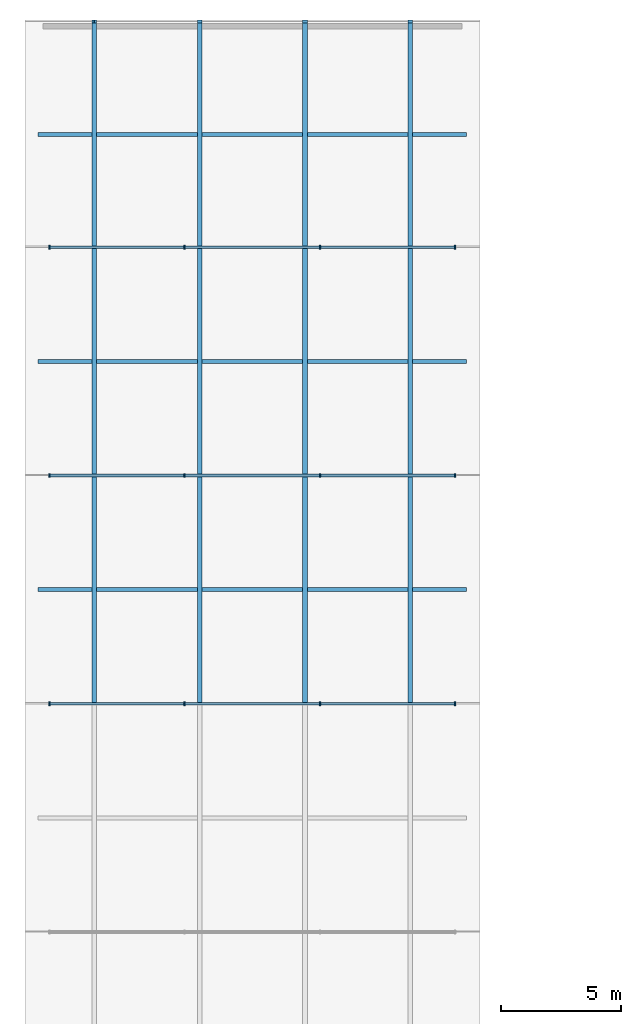
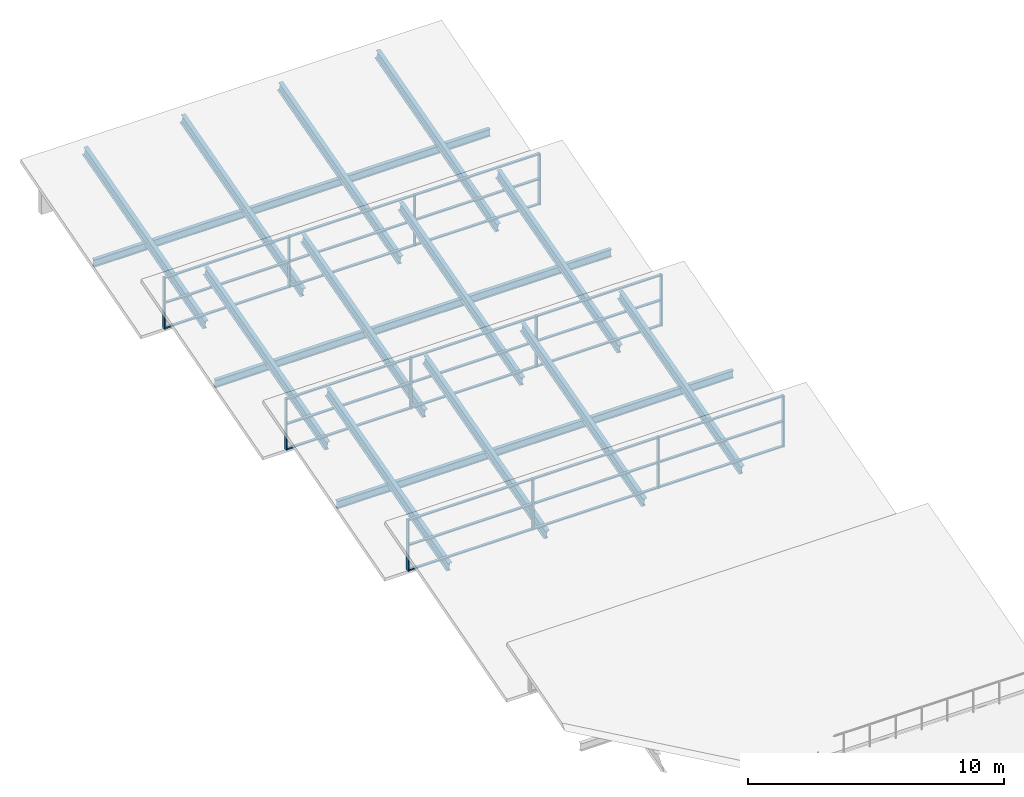
# One storey, part 24 of 53: 54 members, 3 elements without a shape of their own.
"""IFC4 building model written with IfcOpenShell, lengths in metres."""

from ifc_helpers import new_model, si_unit, direction, frame, origin, origin_2d, place, context, subcontext, project, spatial, rectangle, i_section, extrude, material, material_profile, profile_set, type_object, element, aggregate, save


model = new_model("IFC4")

# Units and contexts
model_context = context("Model", 3, precision=1e-05, world=origin(), true_north=direction((0.0, 1.0)))
body_context = subcontext(model_context, "Body", "Model", "MODEL_VIEW")
ifc_project = project(units=[si_unit("LENGTHUNIT", "METRE"), si_unit("AREAUNIT", "SQUARE_METRE"), si_unit("VOLUMEUNIT", "CUBIC_METRE"), si_unit("PLANEANGLEUNIT", "RADIAN"), si_unit("MASSUNIT", "GRAM", prefix="KILO")], contexts=[model_context])

# Site, building, storey
site_placement = place(None, origin())
site = spatial("IfcSite", under=ifc_project, at=site_placement, CompositionType="ELEMENT")
building_placement = place(site_placement, origin())
building = spatial("IfcBuilding", under=site, at=building_placement, Name="Saryqyr Civic Hall", CompositionType="ELEMENT")
storey_placement = place(building_placement, frame((0.0, 0.0, 21.300048828125)))
storey = spatial("IfcBuildingStorey", under=building, at=storey_placement, Name="L05", CompositionType="ELEMENT", Elevation=21.300048828125)

# Curtain wall, members
ifc_material_1 = material(Name="Anodised aluminium and triple low-E glass", Category="aluminium")
curtain_wall_type = type_object("IfcCurtainWallType", Name="ENV-CW-STD-58", PredefinedType="NOTDEFINED", material=ifc_material_1)
curtain_wall_1_placement = place(storey_placement, origin())
curtain_wall_1 = element("IfcCurtainWall", 1, at=curtain_wall_1_placement, inside=storey, type_object=curtain_wall_type, Name="Curtain wall V3-SAW-CW-2", PredefinedType="NOTDEFINED")
ifc_material_2 = material(Name="Anodised aluminium", Category="aluminium")
ifc_material_profile_1 = material_profile(ifc_material_2, rectangle(XDim=0.06005859375, YDim=0.159912109375, at=origin_2d()), Name="ALU MULLION 60x160")
ifc_profile_set_1 = profile_set([ifc_material_profile_1], Name="Anodised aluminium")
member_type_1 = type_object("IfcMemberType", Name="ENV-CW-MUL-180", PredefinedType="MULLION", material=ifc_profile_set_1)
member_1_placement = place(storey_placement, frame((25.570068359375, 136.659912109375, 0.0), z_axis=(0.0, 0.0, 1.0), x_axis=(-1.0, 0.0, 0.0)))
member_1 = element("IfcMember", 2, at=member_1_placement, type_object=member_type_1, Name="CW-58 mullion 1", PredefinedType="MULLION", context=body_context, shape_type="SweptSolid", body=[
    extrude(rectangle(XDim=0.06005859375, YDim=0.159912109375, at=origin_2d()), origin(), (0.0, 0.0, 1.0), 2.449951171875),
])
member_2_placement = place(storey_placement, frame((19.933349609375, 136.659912109375, 0.0), z_axis=(0.0, 0.0, 1.0), x_axis=(-1.0, 0.0, 0.0)))
member_2 = element("IfcMember", 3, at=member_2_placement, type_object=member_type_1, Name="CW-58 mullion 2", PredefinedType="MULLION", context=body_context, shape_type="SweptSolid", body=[
    extrude(rectangle(XDim=0.06005859375, YDim=0.159912109375, at=origin_2d()), origin(), (0.0, 0.0, 1.0), 2.449951171875),
])
member_3_placement = place(storey_placement, frame((14.2666015625, 136.659912109375, 0.0), z_axis=(0.0, 0.0, 1.0), x_axis=(-1.0, 0.0, 0.0)))
member_3 = element("IfcMember", 4, at=member_3_placement, type_object=member_type_1, Name="CW-58 mullion 3", PredefinedType="MULLION", context=body_context, shape_type="SweptSolid", body=[
    extrude(rectangle(XDim=0.06005859375, YDim=0.159912109375, at=origin_2d()), origin(), (0.0, 0.0, 1.0), 2.449951171875),
])
member_4_placement = place(storey_placement, frame((8.6298828125, 136.659912109375, 0.0), z_axis=(0.0, 0.0, 1.0), x_axis=(-1.0, 0.0, 0.0)))
member_4 = element("IfcMember", 5, at=member_4_placement, type_object=member_type_1, Name="CW-58 mullion 4", PredefinedType="MULLION", context=body_context, shape_type="SweptSolid", body=[
    extrude(rectangle(XDim=0.06005859375, YDim=0.159912109375, at=origin_2d()), origin(), (0.0, 0.0, 1.0), 2.449951171875),
])

curtain_wall_2_placement = place(storey_placement, origin())
curtain_wall_2 = element("IfcCurtainWall", 6, at=curtain_wall_2_placement, inside=storey, type_object=curtain_wall_type, Name="Curtain wall V3-SAW-CW-3", PredefinedType="NOTDEFINED")
member_5_placement = place(storey_placement, frame((8.6298828125, 146.18994140625, 0.0), z_axis=(0.0, 0.0, 1.0), x_axis=(1.0, 0.0, 0.0)))
member_5 = element("IfcMember", 7, at=member_5_placement, type_object=member_type_1, Name="CW-58 mullion 1", PredefinedType="MULLION", context=body_context, shape_type="SweptSolid", body=[
    extrude(rectangle(XDim=0.06005859375, YDim=0.159912109375, at=origin_2d()), origin(), (0.0, 0.0, 1.0), 2.449951171875),
])
member_6_placement = place(storey_placement, frame((14.2666015625, 146.18994140625, 0.0), z_axis=(0.0, 0.0, 1.0), x_axis=(1.0, 0.0, 0.0)))
member_6 = element("IfcMember", 8, at=member_6_placement, type_object=member_type_1, Name="CW-58 mullion 2", PredefinedType="MULLION", context=body_context, shape_type="SweptSolid", body=[
    extrude(rectangle(XDim=0.06005859375, YDim=0.159912109375, at=origin_2d()), origin(), (0.0, 0.0, 1.0), 2.449951171875),
])
member_7_placement = place(storey_placement, frame((19.933349609375, 146.18994140625, 0.0), z_axis=(0.0, 0.0, 1.0), x_axis=(1.0, 0.0, 0.0)))
member_7 = element("IfcMember", 9, at=member_7_placement, type_object=member_type_1, Name="CW-58 mullion 3", PredefinedType="MULLION", context=body_context, shape_type="SweptSolid", body=[
    extrude(rectangle(XDim=0.06005859375, YDim=0.159912109375, at=origin_2d()), origin(), (0.0, 0.0, 1.0), 2.449951171875),
])
member_8_placement = place(storey_placement, frame((25.570068359375, 146.18994140625, 0.0), z_axis=(0.0, 0.0, 1.0), x_axis=(1.0, 0.0, 0.0)))
member_8 = element("IfcMember", 10, at=member_8_placement, type_object=member_type_1, Name="CW-58 mullion 4", PredefinedType="MULLION", context=body_context, shape_type="SweptSolid", body=[
    extrude(rectangle(XDim=0.06005859375, YDim=0.159912109375, at=origin_2d()), origin(), (0.0, 0.0, 1.0), 2.449951171875),
])

curtain_wall_3_placement = place(storey_placement, origin())
curtain_wall_3 = element("IfcCurtainWall", 11, at=curtain_wall_3_placement, inside=storey, type_object=curtain_wall_type, Name="Curtain wall V3-SAW-CW-4", PredefinedType="NOTDEFINED")
member_9_placement = place(storey_placement, frame((8.6298828125, 155.719970703125, 0.0), z_axis=(0.0, 0.0, 1.0), x_axis=(1.0, 0.0, 0.0)))
member_9 = element("IfcMember", 12, at=member_9_placement, type_object=member_type_1, Name="CW-58 mullion 1", PredefinedType="MULLION", context=body_context, shape_type="SweptSolid", body=[
    extrude(rectangle(XDim=0.06005859375, YDim=0.159912109375, at=origin_2d()), origin(), (0.0, 0.0, 1.0), 2.449951171875),
])
member_10_placement = place(storey_placement, frame((14.2666015625, 155.719970703125, 0.0), z_axis=(0.0, 0.0, 1.0), x_axis=(1.0, 0.0, 0.0)))
member_10 = element("IfcMember", 13, at=member_10_placement, type_object=member_type_1, Name="CW-58 mullion 2", PredefinedType="MULLION", context=body_context, shape_type="SweptSolid", body=[
    extrude(rectangle(XDim=0.06005859375, YDim=0.159912109375, at=origin_2d()), origin(), (0.0, 0.0, 1.0), 2.449951171875),
])
member_11_placement = place(storey_placement, frame((19.933349609375, 155.719970703125, 0.0), z_axis=(0.0, 0.0, 1.0), x_axis=(1.0, 0.0, 0.0)))
member_11 = element("IfcMember", 14, at=member_11_placement, type_object=member_type_1, Name="CW-58 mullion 3", PredefinedType="MULLION", context=body_context, shape_type="SweptSolid", body=[
    extrude(rectangle(XDim=0.06005859375, YDim=0.159912109375, at=origin_2d()), origin(), (0.0, 0.0, 1.0), 2.449951171875),
])
member_12_placement = place(storey_placement, frame((25.570068359375, 155.719970703125, 0.0), z_axis=(0.0, 0.0, 1.0), x_axis=(1.0, 0.0, 0.0)))
member_12 = element("IfcMember", 15, at=member_12_placement, type_object=member_type_1, Name="CW-58 mullion 4", PredefinedType="MULLION", context=body_context, shape_type="SweptSolid", body=[
    extrude(rectangle(XDim=0.06005859375, YDim=0.159912109375, at=origin_2d()), origin(), (0.0, 0.0, 1.0), 2.449951171875),
])

# Member
ifc_material_profile_2 = material_profile(ifc_material_2, rectangle(XDim=0.1201171875, YDim=0.06005859375, at=origin_2d()), Name="ALU TRANSOM 120x60")
ifc_profile_set_2 = profile_set([ifc_material_profile_2], Name="Anodised aluminium")
member_type_2 = type_object("IfcMemberType", Name="ENV-CW-TRN-150", PredefinedType="USERDEFINED", material=ifc_profile_set_2)
member_13_placement = place(storey_placement, frame((25.5400390625, 136.659912109375, 0.030029296875), z_axis=(-1.0, 0.0, 0.0), x_axis=(0.0, -1.0, 0.0)))
member_13 = element("IfcMember", 16, at=member_13_placement, type_object=member_type_2, Name="CW-58 transom 1.1", ObjectType="TRANSOM", PredefinedType="USERDEFINED", context=body_context, shape_type="SweptSolid", body=[
    extrude(rectangle(XDim=0.1201171875, YDim=0.06005859375, at=origin_2d()), origin(), (0.0, 0.0, 1.0), 5.57666015625),
])

member_14_placement = place(storey_placement, frame((25.5400390625, 136.659912109375, 1.224853515625), z_axis=(-1.0, 0.0, 0.0), x_axis=(0.0, -1.0, 0.0)))
member_14 = element("IfcMember", 17, at=member_14_placement, type_object=member_type_2, Name="CW-58 transom 1.2", ObjectType="TRANSOM", PredefinedType="USERDEFINED", context=body_context, shape_type="SweptSolid", body=[
    extrude(rectangle(XDim=0.1201171875, YDim=0.06005859375, at=origin_2d()), origin(), (0.0, 0.0, 1.0), 5.57666015625),
])

member_15_placement = place(storey_placement, frame((25.5400390625, 136.659912109375, 2.419921875), z_axis=(-1.0, 0.0, 0.0), x_axis=(0.0, -1.0, 0.0)))
member_15 = element("IfcMember", 18, at=member_15_placement, type_object=member_type_2, Name="CW-58 transom 1.3", ObjectType="TRANSOM", PredefinedType="USERDEFINED", context=body_context, shape_type="SweptSolid", body=[
    extrude(rectangle(XDim=0.1201171875, YDim=0.06005859375, at=origin_2d()), origin(), (0.0, 0.0, 1.0), 5.57666015625),
])

member_16_placement = place(storey_placement, frame((19.9033203125, 136.659912109375, 0.030029296875), z_axis=(-1.0, 0.0, 0.0), x_axis=(0.0, -1.0, 0.0)))
member_16 = element("IfcMember", 19, at=member_16_placement, type_object=member_type_2, Name="CW-58 transom 2.1", ObjectType="TRANSOM", PredefinedType="USERDEFINED", context=body_context, shape_type="SweptSolid", body=[
    extrude(rectangle(XDim=0.1201171875, YDim=0.06005859375, at=origin_2d()), origin(), (0.0, 0.0, 1.0), 5.606689453125),
])

member_17_placement = place(storey_placement, frame((19.9033203125, 136.659912109375, 1.224853515625), z_axis=(-1.0, 0.0, 0.0), x_axis=(0.0, -1.0, 0.0)))
member_17 = element("IfcMember", 20, at=member_17_placement, type_object=member_type_2, Name="CW-58 transom 2.2", ObjectType="TRANSOM", PredefinedType="USERDEFINED", context=body_context, shape_type="SweptSolid", body=[
    extrude(rectangle(XDim=0.1201171875, YDim=0.06005859375, at=origin_2d()), origin(), (0.0, 0.0, 1.0), 5.606689453125),
])

member_18_placement = place(storey_placement, frame((19.9033203125, 136.659912109375, 2.419921875), z_axis=(-1.0, 0.0, 0.0), x_axis=(0.0, -1.0, 0.0)))
member_18 = element("IfcMember", 21, at=member_18_placement, type_object=member_type_2, Name="CW-58 transom 2.3", ObjectType="TRANSOM", PredefinedType="USERDEFINED", context=body_context, shape_type="SweptSolid", body=[
    extrude(rectangle(XDim=0.1201171875, YDim=0.06005859375, at=origin_2d()), origin(), (0.0, 0.0, 1.0), 5.606689453125),
])

member_19_placement = place(storey_placement, frame((14.236572265625, 136.659912109375, 0.030029296875), z_axis=(-1.0, 0.0, 0.0), x_axis=(0.0, -1.0, 0.0)))
member_19 = element("IfcMember", 22, at=member_19_placement, type_object=member_type_2, Name="CW-58 transom 3.1", ObjectType="TRANSOM", PredefinedType="USERDEFINED", context=body_context, shape_type="SweptSolid", body=[
    extrude(rectangle(XDim=0.1201171875, YDim=0.06005859375, at=origin_2d()), origin(), (0.0, 0.0, 1.0), 5.57666015625),
])

member_20_placement = place(storey_placement, frame((14.236572265625, 136.659912109375, 1.224853515625), z_axis=(-1.0, 0.0, 0.0), x_axis=(0.0, -1.0, 0.0)))
member_20 = element("IfcMember", 23, at=member_20_placement, type_object=member_type_2, Name="CW-58 transom 3.2", ObjectType="TRANSOM", PredefinedType="USERDEFINED", context=body_context, shape_type="SweptSolid", body=[
    extrude(rectangle(XDim=0.1201171875, YDim=0.06005859375, at=origin_2d()), origin(), (0.0, 0.0, 1.0), 5.57666015625),
])

member_21_placement = place(storey_placement, frame((14.236572265625, 136.659912109375, 2.419921875), z_axis=(-1.0, 0.0, 0.0), x_axis=(0.0, -1.0, 0.0)))
member_21 = element("IfcMember", 24, at=member_21_placement, type_object=member_type_2, Name="CW-58 transom 3.3", ObjectType="TRANSOM", PredefinedType="USERDEFINED", context=body_context, shape_type="SweptSolid", body=[
    extrude(rectangle(XDim=0.1201171875, YDim=0.06005859375, at=origin_2d()), origin(), (0.0, 0.0, 1.0), 5.57666015625),
])

aggregate(curtain_wall_1, [member_1, member_2, member_3, member_4, member_13, member_14, member_15, member_16, member_17, member_18, member_19, member_20, member_21])

member_22_placement = place(storey_placement, frame((8.659912109375, 146.18994140625, 0.030029296875), z_axis=(1.0, 0.0, 0.0), x_axis=(0.0, 1.0, 0.0)))
member_22 = element("IfcMember", 25, at=member_22_placement, type_object=member_type_2, Name="CW-58 transom 1.1", ObjectType="TRANSOM", PredefinedType="USERDEFINED", context=body_context, shape_type="SweptSolid", body=[
    extrude(rectangle(XDim=0.1201171875, YDim=0.06005859375, at=origin_2d()), origin(), (0.0, 0.0, 1.0), 5.57666015625),
])

member_23_placement = place(storey_placement, frame((8.659912109375, 146.18994140625, 1.224853515625), z_axis=(1.0, 0.0, 0.0), x_axis=(0.0, 1.0, 0.0)))
member_23 = element("IfcMember", 26, at=member_23_placement, type_object=member_type_2, Name="CW-58 transom 1.2", ObjectType="TRANSOM", PredefinedType="USERDEFINED", context=body_context, shape_type="SweptSolid", body=[
    extrude(rectangle(XDim=0.1201171875, YDim=0.06005859375, at=origin_2d()), origin(), (0.0, 0.0, 1.0), 5.57666015625),
])

member_24_placement = place(storey_placement, frame((8.659912109375, 146.18994140625, 2.419921875), z_axis=(1.0, 0.0, 0.0), x_axis=(0.0, 1.0, 0.0)))
member_24 = element("IfcMember", 27, at=member_24_placement, type_object=member_type_2, Name="CW-58 transom 1.3", ObjectType="TRANSOM", PredefinedType="USERDEFINED", context=body_context, shape_type="SweptSolid", body=[
    extrude(rectangle(XDim=0.1201171875, YDim=0.06005859375, at=origin_2d()), origin(), (0.0, 0.0, 1.0), 5.57666015625),
])

member_25_placement = place(storey_placement, frame((14.296630859375, 146.18994140625, 0.030029296875), z_axis=(1.0, 0.0, 0.0), x_axis=(0.0, 1.0, 0.0)))
member_25 = element("IfcMember", 28, at=member_25_placement, type_object=member_type_2, Name="CW-58 transom 2.1", ObjectType="TRANSOM", PredefinedType="USERDEFINED", context=body_context, shape_type="SweptSolid", body=[
    extrude(rectangle(XDim=0.1201171875, YDim=0.06005859375, at=origin_2d()), origin(), (0.0, 0.0, 1.0), 5.606689453125),
])

member_26_placement = place(storey_placement, frame((14.296630859375, 146.18994140625, 1.224853515625), z_axis=(1.0, 0.0, 0.0), x_axis=(0.0, 1.0, 0.0)))
member_26 = element("IfcMember", 29, at=member_26_placement, type_object=member_type_2, Name="CW-58 transom 2.2", ObjectType="TRANSOM", PredefinedType="USERDEFINED", context=body_context, shape_type="SweptSolid", body=[
    extrude(rectangle(XDim=0.1201171875, YDim=0.06005859375, at=origin_2d()), origin(), (0.0, 0.0, 1.0), 5.606689453125),
])

member_27_placement = place(storey_placement, frame((14.296630859375, 146.18994140625, 2.419921875), z_axis=(1.0, 0.0, 0.0), x_axis=(0.0, 1.0, 0.0)))
member_27 = element("IfcMember", 30, at=member_27_placement, type_object=member_type_2, Name="CW-58 transom 2.3", ObjectType="TRANSOM", PredefinedType="USERDEFINED", context=body_context, shape_type="SweptSolid", body=[
    extrude(rectangle(XDim=0.1201171875, YDim=0.06005859375, at=origin_2d()), origin(), (0.0, 0.0, 1.0), 5.606689453125),
])

member_28_placement = place(storey_placement, frame((19.96337890625, 146.18994140625, 0.030029296875), z_axis=(1.0, 0.0, 0.0), x_axis=(0.0, 1.0, 0.0)))
member_28 = element("IfcMember", 31, at=member_28_placement, type_object=member_type_2, Name="CW-58 transom 3.1", ObjectType="TRANSOM", PredefinedType="USERDEFINED", context=body_context, shape_type="SweptSolid", body=[
    extrude(rectangle(XDim=0.1201171875, YDim=0.06005859375, at=origin_2d()), origin(), (0.0, 0.0, 1.0), 5.57666015625),
])

member_29_placement = place(storey_placement, frame((19.96337890625, 146.18994140625, 1.224853515625), z_axis=(1.0, 0.0, 0.0), x_axis=(0.0, 1.0, 0.0)))
member_29 = element("IfcMember", 32, at=member_29_placement, type_object=member_type_2, Name="CW-58 transom 3.2", ObjectType="TRANSOM", PredefinedType="USERDEFINED", context=body_context, shape_type="SweptSolid", body=[
    extrude(rectangle(XDim=0.1201171875, YDim=0.06005859375, at=origin_2d()), origin(), (0.0, 0.0, 1.0), 5.57666015625),
])

member_30_placement = place(storey_placement, frame((19.96337890625, 146.18994140625, 2.419921875), z_axis=(1.0, 0.0, 0.0), x_axis=(0.0, 1.0, 0.0)))
member_30 = element("IfcMember", 33, at=member_30_placement, type_object=member_type_2, Name="CW-58 transom 3.3", ObjectType="TRANSOM", PredefinedType="USERDEFINED", context=body_context, shape_type="SweptSolid", body=[
    extrude(rectangle(XDim=0.1201171875, YDim=0.06005859375, at=origin_2d()), origin(), (0.0, 0.0, 1.0), 5.57666015625),
])

aggregate(curtain_wall_2, [member_5, member_6, member_7, member_8, member_22, member_23, member_24, member_25, member_26, member_27, member_28, member_29, member_30])

member_31_placement = place(storey_placement, frame((8.659912109375, 155.719970703125, 0.030029296875), z_axis=(1.0, 0.0, 0.0), x_axis=(0.0, 1.0, 0.0)))
member_31 = element("IfcMember", 34, at=member_31_placement, type_object=member_type_2, Name="CW-58 transom 1.1", ObjectType="TRANSOM", PredefinedType="USERDEFINED", context=body_context, shape_type="SweptSolid", body=[
    extrude(rectangle(XDim=0.1201171875, YDim=0.06005859375, at=origin_2d()), origin(), (0.0, 0.0, 1.0), 5.57666015625),
])

member_32_placement = place(storey_placement, frame((8.659912109375, 155.719970703125, 1.224853515625), z_axis=(1.0, 0.0, 0.0), x_axis=(0.0, 1.0, 0.0)))
member_32 = element("IfcMember", 35, at=member_32_placement, type_object=member_type_2, Name="CW-58 transom 1.2", ObjectType="TRANSOM", PredefinedType="USERDEFINED", context=body_context, shape_type="SweptSolid", body=[
    extrude(rectangle(XDim=0.1201171875, YDim=0.06005859375, at=origin_2d()), origin(), (0.0, 0.0, 1.0), 5.57666015625),
])

member_33_placement = place(storey_placement, frame((8.659912109375, 155.719970703125, 2.419921875), z_axis=(1.0, 0.0, 0.0), x_axis=(0.0, 1.0, 0.0)))
member_33 = element("IfcMember", 36, at=member_33_placement, type_object=member_type_2, Name="CW-58 transom 1.3", ObjectType="TRANSOM", PredefinedType="USERDEFINED", context=body_context, shape_type="SweptSolid", body=[
    extrude(rectangle(XDim=0.1201171875, YDim=0.06005859375, at=origin_2d()), origin(), (0.0, 0.0, 1.0), 5.57666015625),
])

member_34_placement = place(storey_placement, frame((14.296630859375, 155.719970703125, 0.030029296875), z_axis=(1.0, 0.0, 0.0), x_axis=(0.0, 1.0, 0.0)))
member_34 = element("IfcMember", 37, at=member_34_placement, type_object=member_type_2, Name="CW-58 transom 2.1", ObjectType="TRANSOM", PredefinedType="USERDEFINED", context=body_context, shape_type="SweptSolid", body=[
    extrude(rectangle(XDim=0.1201171875, YDim=0.06005859375, at=origin_2d()), origin(), (0.0, 0.0, 1.0), 5.606689453125),
])

member_35_placement = place(storey_placement, frame((14.296630859375, 155.719970703125, 1.224853515625), z_axis=(1.0, 0.0, 0.0), x_axis=(0.0, 1.0, 0.0)))
member_35 = element("IfcMember", 38, at=member_35_placement, type_object=member_type_2, Name="CW-58 transom 2.2", ObjectType="TRANSOM", PredefinedType="USERDEFINED", context=body_context, shape_type="SweptSolid", body=[
    extrude(rectangle(XDim=0.1201171875, YDim=0.06005859375, at=origin_2d()), origin(), (0.0, 0.0, 1.0), 5.606689453125),
])

member_36_placement = place(storey_placement, frame((14.296630859375, 155.719970703125, 2.419921875), z_axis=(1.0, 0.0, 0.0), x_axis=(0.0, 1.0, 0.0)))
member_36 = element("IfcMember", 39, at=member_36_placement, type_object=member_type_2, Name="CW-58 transom 2.3", ObjectType="TRANSOM", PredefinedType="USERDEFINED", context=body_context, shape_type="SweptSolid", body=[
    extrude(rectangle(XDim=0.1201171875, YDim=0.06005859375, at=origin_2d()), origin(), (0.0, 0.0, 1.0), 5.606689453125),
])

member_37_placement = place(storey_placement, frame((19.96337890625, 155.719970703125, 0.030029296875), z_axis=(1.0, 0.0, 0.0), x_axis=(0.0, 1.0, 0.0)))
member_37 = element("IfcMember", 40, at=member_37_placement, type_object=member_type_2, Name="CW-58 transom 3.1", ObjectType="TRANSOM", PredefinedType="USERDEFINED", context=body_context, shape_type="SweptSolid", body=[
    extrude(rectangle(XDim=0.1201171875, YDim=0.06005859375, at=origin_2d()), origin(), (0.0, 0.0, 1.0), 5.57666015625),
])

member_38_placement = place(storey_placement, frame((19.96337890625, 155.719970703125, 1.224853515625), z_axis=(1.0, 0.0, 0.0), x_axis=(0.0, 1.0, 0.0)))
member_38 = element("IfcMember", 41, at=member_38_placement, type_object=member_type_2, Name="CW-58 transom 3.2", ObjectType="TRANSOM", PredefinedType="USERDEFINED", context=body_context, shape_type="SweptSolid", body=[
    extrude(rectangle(XDim=0.1201171875, YDim=0.06005859375, at=origin_2d()), origin(), (0.0, 0.0, 1.0), 5.57666015625),
])

member_39_placement = place(storey_placement, frame((19.96337890625, 155.719970703125, 2.419921875), z_axis=(1.0, 0.0, 0.0), x_axis=(0.0, 1.0, 0.0)))
member_39 = element("IfcMember", 42, at=member_39_placement, type_object=member_type_2, Name="CW-58 transom 3.3", ObjectType="TRANSOM", PredefinedType="USERDEFINED", context=body_context, shape_type="SweptSolid", body=[
    extrude(rectangle(XDim=0.1201171875, YDim=0.06005859375, at=origin_2d()), origin(), (0.0, 0.0, 1.0), 5.57666015625),
])

aggregate(curtain_wall_3, [member_9, member_10, member_11, member_12, member_31, member_32, member_33, member_34, member_35, member_36, member_37, member_38, member_39])

# Members
ifc_material_3 = material(Name="Steel S355", Category="steel")
ifc_material_profile_3 = material_profile(ifc_material_3, i_section(OverallWidth=0.169921875, OverallDepth=0.360107421875, WebThickness=0.008056640625, FlangeThickness=0.0126953125, at=origin_2d()), Name="IPE 360")
ifc_profile_set_3 = profile_set([ifc_material_profile_3], Name="Steel S355")
member_type_3 = type_object("IfcMemberType", Name="STR-PUR-IPE360", PredefinedType="PURLIN", material=ifc_profile_set_3)
for number, where, z_axis, x_axis, name in (
    (43, (8.14990234375, 141.425048828125, 0.43994140625), (1.0, 0.0, 0.0), (0.0, 1.0, 0.0), "Sawtooth roof purlin bay 3"),
    (44, (8.14990234375, 150.955078125, 0.43994140625), (1.0, 0.0, 0.0), (0.0, 1.0, 0.0), "Sawtooth roof purlin bay 4"),
    (45, (8.14990234375, 160.43505859375, 0.43994140625), (1.0, 0.0, 0.0), (0.0, 1.0, 0.0), "Sawtooth roof purlin bay 5"),
):
    element("IfcMember", number, at=place(storey_placement, frame(where, z_axis=z_axis, x_axis=x_axis)), inside=storey, type_object=member_type_3, Name=name, PredefinedType="PURLIN", context=body_context, shape_type="SweptSolid", body=[
        extrude(i_section(OverallWidth=0.169921875, OverallDepth=0.360107421875, WebThickness=0.008056640625, FlangeThickness=0.0126953125, at=origin_2d()), origin(), (0.0, 0.0, 1.0), 17.900146484375),
    ])
ifc_material_profile_4 = material_profile(ifc_material_3, i_section(OverallWidth=0.18994140625, OverallDepth=0.449951171875, WebThickness=0.009521484375, FlangeThickness=0.0146484375, at=origin_2d()), Name="IPE 450")
ifc_profile_set_4 = profile_set([ifc_material_profile_4], Name="Steel S355")
member_type_4 = type_object("IfcMemberType", Name="STR-RAF-IPE450", PredefinedType="RAFTER", material=ifc_profile_set_4)
for number, where, z_axis, x_axis, name in (
    (46, (10.5, 136.659912109375, -0.47998046875), (0.0, 0.964228282357, 0.265073234225), (-1.0, 0.0, 0.0), "Sawtooth roof rafter bay 3.1"),
    (47, (14.89990234375, 136.659912109375, -0.47998046875), (0.0, 0.964228282357, 0.265073234225), (-1.0, 0.0, 0.0), "Sawtooth roof rafter bay 3.2"),
    (48, (19.300048828125, 136.659912109375, -0.47998046875), (0.0, 0.964228282357, 0.265073234225), (-1.0, 0.0, 0.0), "Sawtooth roof rafter bay 3.3"),
    (49, (23.699951171875, 136.659912109375, -0.47998046875), (0.0, 0.964228282357, 0.265073234225), (-1.0, 0.0, 0.0), "Sawtooth roof rafter bay 3.4"),
    (50, (10.5, 146.18994140625, -0.47998046875), (0.0, 0.964228282357, 0.265073234225), (-1.0, 0.0, 0.0), "Sawtooth roof rafter bay 4.1"),
    (51, (14.89990234375, 146.18994140625, -0.47998046875), (0.0, 0.964228282357, 0.265073234225), (-1.0, 0.0, 0.0), "Sawtooth roof rafter bay 4.2"),
    (52, (19.300048828125, 146.18994140625, -0.47998046875), (0.0, 0.964228282357, 0.265073234225), (-1.0, 0.0, 0.0), "Sawtooth roof rafter bay 4.3"),
    (53, (23.699951171875, 146.18994140625, -0.47998046875), (0.0, 0.964228282357, 0.265073234225), (-1.0, 0.0, 0.0), "Sawtooth roof rafter bay 4.4"),
):
    element("IfcMember", number, at=place(storey_placement, frame(where, z_axis=z_axis, x_axis=x_axis)), inside=storey, type_object=member_type_4, Name=name, PredefinedType="RAFTER", context=body_context, shape_type="SweptSolid", body=[
        extrude(i_section(OverallWidth=0.18994140625, OverallDepth=0.449951171875, WebThickness=0.009521484375, FlangeThickness=0.0146484375, at=origin_2d()), origin(), (0.0, 0.0, 1.0), 9.883544921875),
    ])
for number, where, z_axis, x_axis, name in (
    (54, (10.5, 155.719970703125, -0.47998046875), (0.0, 0.963506115146, 0.267686320301), (-1.0, 0.0, 0.0), "Sawtooth roof rafter bay 5.1"),
    (55, (14.89990234375, 155.719970703125, -0.47998046875), (0.0, 0.963506115146, 0.267686320301), (-1.0, 0.0, 0.0), "Sawtooth roof rafter bay 5.2"),
    (56, (19.300048828125, 155.719970703125, -0.47998046875), (0.0, 0.963506115146, 0.267686320301), (-1.0, 0.0, 0.0), "Sawtooth roof rafter bay 5.3"),
    (57, (23.699951171875, 155.719970703125, -0.47998046875), (0.0, 0.963506115146, 0.267686320301), (-1.0, 0.0, 0.0), "Sawtooth roof rafter bay 5.4"),
):
    element("IfcMember", number, at=place(storey_placement, frame(where, z_axis=z_axis, x_axis=x_axis)), inside=storey, type_object=member_type_4, Name=name, PredefinedType="RAFTER", context=body_context, shape_type="SweptSolid", body=[
        extrude(i_section(OverallWidth=0.18994140625, OverallDepth=0.449951171875, WebThickness=0.009521484375, FlangeThickness=0.0146484375, at=origin_2d()), origin(), (0.0, 0.0, 1.0), 9.787109375),
    ])

save(model, "model.ifc")
